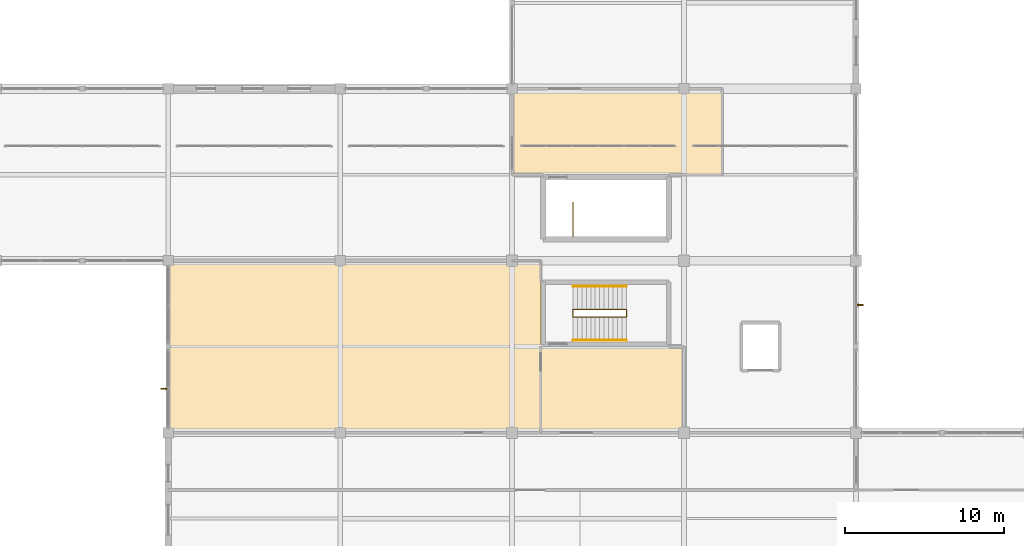
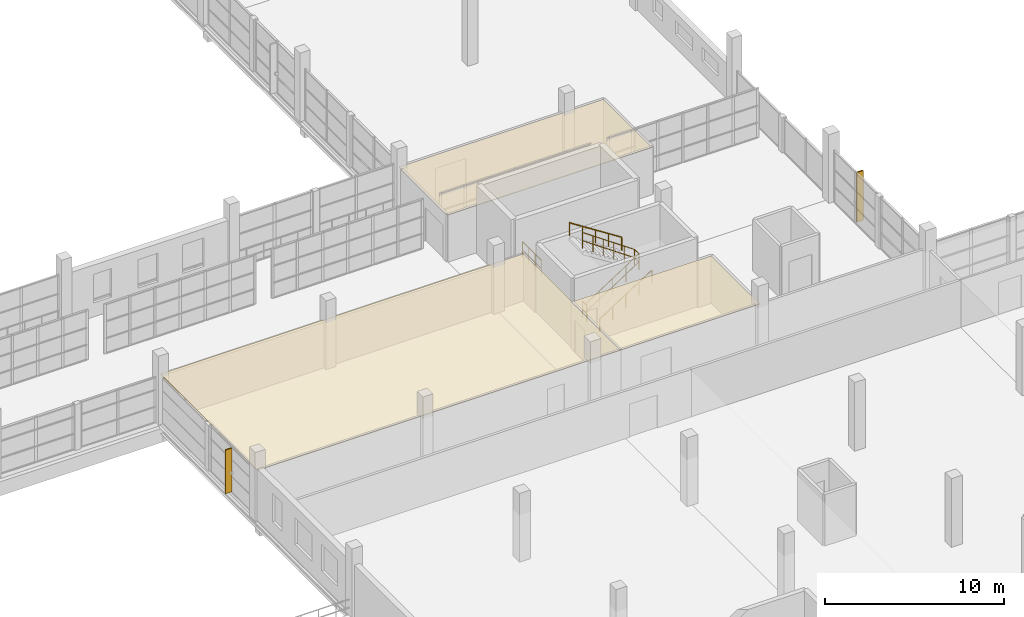
# One storey, part 139 of 142: 5 railings, 3 coverings, 2 shading devices.
"""IFC4 building model written with IfcOpenShell, lengths in metres."""

from ifc_helpers import new_model, si_unit, direction, frame, origin, origin_2d, place, context, subcontext, project, spatial, polyline, rectangle, circle, outline, extrude, material, layer, layer_set, type_object, element, save


model = new_model("IFC4")

# Units and contexts
model_context = context("Model", 3, precision=1e-05, world=origin(), true_north=direction((0.0, 1.0)))
body_context = subcontext(model_context, "Body", "Model", "MODEL_VIEW")
ifc_project = project(units=[si_unit("LENGTHUNIT", "METRE"), si_unit("AREAUNIT", "SQUARE_METRE"), si_unit("VOLUMEUNIT", "CUBIC_METRE"), si_unit("PLANEANGLEUNIT", "RADIAN"), si_unit("MASSUNIT", "GRAM", prefix="KILO")], contexts=[model_context])

# Site, building, storey
site_placement = place(None, origin())
site = spatial("IfcSite", under=ifc_project, at=site_placement, CompositionType="ELEMENT")
building_placement = place(site_placement, origin())
building = spatial("IfcBuilding", under=site, at=building_placement, Name="Zwinboog Wholesale Market", CompositionType="ELEMENT")
storey_placement = place(building_placement, frame((0.0, 0.0, 5.39990234375)))
storey = spatial("IfcBuildingStorey", under=building, at=storey_placement, Name="L01", CompositionType="ELEMENT", Elevation=5.39990234375)

# Shading devices
ifc_material_1 = material(Name="Western red cedar timber", Category="wood")
shading_device_type = type_object("IfcShadingDeviceType", Name="SHD-FIN-CEDAR", PredefinedType="USERDEFINED", material=ifc_material_1)
shading_device_1_placement = place(storey_placement, frame((129.330078125, 35.159912109375, 0.080078125), z_axis=(0.0, 0.0, 1.0), x_axis=(1.0, 0.0, 0.0)))
element("IfcShadingDevice", 1, at=shading_device_1_placement, inside=storey, type_object=shading_device_type, Name="FN-01 (SHD-FIN-035)", ObjectType="FIN", PredefinedType="USERDEFINED", context=body_context, shape_type="SweptSolid", body=[
    extrude(rectangle(XDim=0.419921875, YDim=0.0849609375, at=origin_2d()), origin(), (0.0, 0.0, 1.0), 2.969970703125),
])
shading_device_2_placement = place(storey_placement, frame((173.054931640625, 40.427490234375, 0.080078125), z_axis=(0.0, 0.0, 1.0), x_axis=(1.0, 0.0, 0.0)))
element("IfcShadingDevice", 2, at=shading_device_2_placement, inside=storey, type_object=shading_device_type, Name="FN-01 (SHD-FIN-039)", ObjectType="FIN", PredefinedType="USERDEFINED", context=body_context, shape_type="SweptSolid", body=[
    extrude(rectangle(XDim=0.419921875, YDim=0.0849609375, at=origin_2d()), origin(), (0.0, 0.0, 1.0), 3.3798828125),
])

# Railings
ifc_material_2 = material(Name="Steel S355", Category="steel")
railing_type_1 = type_object("IfcRailingType", Name="RLT-INT-GUARD", PredefinedType="BALUSTRADE", material=ifc_material_2)
railing_1_placement = place(storey_placement, frame((155.02001953125, 40.139892578125, 0.0)))
element("IfcRailing", 3, at=railing_1_placement, inside=storey, type_object=railing_type_1, Name="GR-02 (RLG-ST-12A-GTOP)", PredefinedType="BALUSTRADE", context=body_context, shape_type="SweptSolid", body=[
    extrude(circle(Radius=0.02392578125, at=origin_2d()), frame((0.0, 0.0, 1.09619140625), z_axis=(0.0, -1.0, 0.0), x_axis=(1.0, 0.0, 0.0)), (0.0, 0.0, 1.0), 0.47998046875),
    extrude(circle(Radius=0.02392578125, at=origin_2d()), frame((0.0, 0.0, 0.5361328125), z_axis=(0.0, -1.0, 0.0), x_axis=(1.0, 0.0, 0.0)), (0.0, 0.0, 1.0), 0.47998046875),
    extrude(circle(Radius=0.02099609375, at=origin_2d()), origin(), (0.0, 0.0, 1.0), 1.072021484375),
    extrude(circle(Radius=0.02099609375, at=origin_2d()), frame((0.0, -0.47998046875, 0.0)), (0.0, 0.0, 1.0), 1.072021484375),
])
railing_2_placement = place(storey_placement, frame((155.02001953125, 39.659912109375, 0.18017578125)))
element("IfcRailing", 4, at=railing_2_placement, inside=storey, type_object=railing_type_1, Name="GR-02 (RLG-ST-12B-G1)", PredefinedType="BALUSTRADE", context=body_context, shape_type="SweptSolid", body=[
    extrude(circle(Radius=0.02392578125, at=origin_2d()), frame((0.0, 0.0, 1.09619140625), z_axis=(0.841178475377, 0.0, 0.540757591313), x_axis=(0.0, 1.0, 0.0)), (0.0, 0.0, 1.0), 3.994140625),
    extrude(circle(Radius=0.02392578125, at=origin_2d()), frame((0.0, 0.0, 0.5361328125), z_axis=(0.841178475377, 0.0, 0.540757591313), x_axis=(0.0, 1.0, 0.0)), (0.0, 0.0, 1.0), 3.994140625),
    extrude(circle(Radius=0.02392578125, at=origin_2d()), frame((3.35986328125, 0.0, 3.255859375), z_axis=(0.0, 1.0, 0.0), x_axis=(-1.0, 0.0, 0.0)), (0.0, 0.0, 1.0), 0.47998046875),
    extrude(circle(Radius=0.02392578125, at=origin_2d()), frame((3.35986328125, 0.0, 2.69580078125), z_axis=(0.0, 1.0, 0.0), x_axis=(-1.0, 0.0, 0.0)), (0.0, 0.0, 1.0), 0.47998046875),
    extrude(circle(Radius=0.02392578125, at=origin_2d()), frame((3.35986328125, 0.47998046875, 3.255859375), z_axis=(-0.820585442616, 0.0, 0.571523867714), x_axis=(0.0, -1.0, 0.0)), (0.0, 0.0, 1.0), 4.094482421875),
    extrude(circle(Radius=0.02392578125, at=origin_2d()), frame((3.35986328125, 0.47998046875, 2.69580078125), z_axis=(-0.820585442616, 0.0, 0.571523867714), x_axis=(0.0, -1.0, 0.0)), (0.0, 0.0, 1.0), 4.094482421875),
    extrude(circle(Radius=0.02099609375, at=origin_2d()), origin(), (0.0, 0.0, 1.0), 1.072021484375),
    extrude(circle(Radius=0.02099609375, at=origin_2d()), frame((0.83984375, 0.0, 0.5400390625)), (0.0, 0.0, 1.0), 1.072021484375),
    extrude(circle(Radius=0.02099609375, at=origin_2d()), frame((1.679931640625, 0.0, 1.080078125)), (0.0, 0.0, 1.0), 1.072021484375),
    extrude(circle(Radius=0.02099609375, at=origin_2d()), frame((2.52001953125, 0.0, 1.619873046875)), (0.0, 0.0, 1.0), 1.072021484375),
    extrude(circle(Radius=0.02099609375, at=origin_2d()), frame((3.35986328125, 0.0, 2.159912109375)), (0.0, 0.0, 1.0), 1.072021484375),
    extrude(circle(Radius=0.02099609375, at=origin_2d()), frame((3.35986328125, 0.47998046875, 2.159912109375)), (0.0, 0.0, 1.0), 1.072021484375),
    extrude(circle(Radius=0.02099609375, at=origin_2d()), frame((2.68798828125, 0.47998046875, 2.6279296875)), (0.0, 0.0, 1.0), 1.072021484375),
    extrude(circle(Radius=0.02099609375, at=origin_2d()), frame((2.015869140625, 0.47998046875, 3.095947265625)), (0.0, 0.0, 1.0), 1.072021484375),
    extrude(circle(Radius=0.02099609375, at=origin_2d()), frame((1.343994140625, 0.47998046875, 3.56396484375)), (0.0, 0.0, 1.0), 1.072021484375),
    extrude(circle(Radius=0.02099609375, at=origin_2d()), frame((0.671875, 0.47998046875, 4.031982421875)), (0.0, 0.0, 1.0), 1.072021484375),
    extrude(circle(Radius=0.02099609375, at=origin_2d()), frame((0.0, 0.47998046875, 4.5)), (0.0, 0.0, 1.0), 1.072021484375),
])
railing_3_placement = place(storey_placement, frame((155.02001953125, 46.840087890625, 0.0)))
element("IfcRailing", 5, at=railing_3_placement, inside=storey, type_object=railing_type_1, Name="GR-02 (RLG-ST-15-GTOP)", PredefinedType="BALUSTRADE", context=body_context, shape_type="SweptSolid", body=[
    extrude(circle(Radius=0.02392578125, at=origin_2d()), frame((0.0, 0.0, 1.09619140625), z_axis=(0.0, -1.0, 0.0), x_axis=(1.0, 0.0, 0.0)), (0.0, 0.0, 1.0), 2.10009765625),
    extrude(circle(Radius=0.02392578125, at=origin_2d()), frame((0.0, 0.0, 0.5361328125), z_axis=(0.0, -1.0, 0.0), x_axis=(1.0, 0.0, 0.0)), (0.0, 0.0, 1.0), 2.10009765625),
    extrude(circle(Radius=0.02099609375, at=origin_2d()), origin(), (0.0, 0.0, 1.0), 1.072021484375),
    extrude(circle(Radius=0.02099609375, at=origin_2d()), frame((0.0, -0.699951171875, 0.0)), (0.0, 0.0, 1.0), 1.072021484375),
    extrude(circle(Radius=0.02099609375, at=origin_2d()), frame((0.0, -1.400146484375, 0.0)), (0.0, 0.0, 1.0), 1.072021484375),
    extrude(circle(Radius=0.02099609375, at=origin_2d()), frame((0.0, -2.10009765625, 0.0)), (0.0, 0.0, 1.0), 1.072021484375),
])
railing_type_2 = type_object("IfcRailingType", Name="RLT-HANDRAIL", PredefinedType="HANDRAIL", material=ifc_material_2)
railing_4_placement = place(storey_placement, frame((155.02001953125, 38.2099609375, 0.18017578125)))
element("IfcRailing", 6, at=railing_4_placement, inside=storey, type_object=railing_type_2, Name="HR-01 (RLG-ST-12B-HR1)", PredefinedType="HANDRAIL", context=body_context, shape_type="SweptSolid", body=[
    extrude(circle(Radius=0.02392578125, at=origin_2d()), frame((0.0, 0.0, 0.8759765625), z_axis=(0.841178475377, 0.0, 0.540757591313), x_axis=(0.0, 1.0, 0.0)), (0.0, 0.0, 1.0), 3.994140625),
    extrude(circle(Radius=0.02099609375, at=origin_2d()), origin(), (0.0, 0.0, 1.0), 0.851806640625),
    extrude(circle(Radius=0.02099609375, at=origin_2d()), frame((0.83984375, 0.0, 0.5400390625)), (0.0, 0.0, 1.0), 0.851806640625),
    extrude(circle(Radius=0.02099609375, at=origin_2d()), frame((1.679931640625, 0.0, 1.080078125)), (0.0, 0.0, 1.0), 0.851806640625),
    extrude(circle(Radius=0.02099609375, at=origin_2d()), frame((2.52001953125, 0.0, 1.619873046875)), (0.0, 0.0, 1.0), 0.851806640625),
    extrude(circle(Radius=0.02099609375, at=origin_2d()), frame((3.35986328125, 0.0, 2.159912109375)), (0.0, 0.0, 1.0), 0.851806640625),
])
railing_5_placement = place(storey_placement, frame((158.3798828125, 41.590087890625, 2.52001953125)))
element("IfcRailing", 7, at=railing_5_placement, inside=storey, type_object=railing_type_2, Name="HR-01 (RLG-ST-12B-HR2)", PredefinedType="HANDRAIL", context=body_context, shape_type="SweptSolid", body=[
    extrude(circle(Radius=0.02392578125, at=origin_2d()), frame((0.0, 0.0, 0.8759765625), z_axis=(-0.841150671818, 0.0, 0.540800838849), x_axis=(0.0, -1.0, 0.0)), (0.0, 0.0, 1.0), 3.994384765625),
    extrude(circle(Radius=0.02099609375, at=origin_2d()), origin(), (0.0, 0.0, 1.0), 0.851806640625),
    extrude(circle(Radius=0.02099609375, at=origin_2d()), frame((-0.83984375, 0.0, 0.5400390625)), (0.0, 0.0, 1.0), 0.851806640625),
    extrude(circle(Radius=0.02099609375, at=origin_2d()), frame((-1.679931640625, 0.0, 1.080078125)), (0.0, 0.0, 1.0), 0.851806640625),
    extrude(circle(Radius=0.02099609375, at=origin_2d()), frame((-2.52001953125, 0.0, 1.6201171875)), (0.0, 0.0, 1.0), 0.851806640625),
    extrude(circle(Radius=0.02099609375, at=origin_2d()), frame((-3.35986328125, 0.0, 2.16015625)), (0.0, 0.0, 1.0), 0.851806640625),
])

# Coverings
ifc_material_3 = material(Name="Hygienic washable acoustic gypsum ceiling")
ifc_layer = layer(ifc_material_3, 0.050048828125)
ifc_layer_set = layer_set([ifc_layer], Name="Hygienic washable acoustic gypsum ceiling")
covering_type = type_object("IfcCoveringType", Name="COV-CEIL-HYG", PredefinedType="CEILING", material=ifc_layer_set)
covering_1_placement = place(storey_placement, frame((0.0, 0.0, 3.130126953125)))
element("IfcCovering", 8, at=covering_1_placement, inside=storey, type_object=covering_type, Name="CL-02 (COV-CL-L01-024)", PredefinedType="CEILING", context=body_context, shape_type="SweptSolid", body=[
    extrude(outline(polyline([(151.199951171875, 48.60009765625), (164.39990234375, 48.60009765625), (164.39990234375, 54.0), (151.199951171875, 54.0), (151.199951171875, 48.60009765625)])), origin(), (0.0, 0.0, 1.0), 0.050048828125),
])
covering_2_placement = place(storey_placement, frame((0.0, 0.0, 3.130126953125)))
element("IfcCovering", 9, at=covering_2_placement, inside=storey, type_object=covering_type, Name="CL-02 (COV-CL-L01-029)", PredefinedType="CEILING", context=body_context, shape_type="SweptSolid", body=[
    extrude(outline(polyline([(153.0, 32.39990234375), (162.0, 32.39990234375), (162.0, 37.800048828125), (153.0, 37.800048828125), (153.0, 32.39990234375)])), origin(), (0.0, 0.0, 1.0), 0.050048828125),
])
covering_3_placement = place(storey_placement, frame((0.0, 0.0, 3.130126953125)))
element("IfcCovering", 10, at=covering_3_placement, inside=storey, type_object=covering_type, Name="CL-02 (COV-CL-L01-030)", PredefinedType="CEILING", context=body_context, shape_type="SweptSolid", body=[
    extrude(outline(polyline([(129.60009765625, 32.39990234375), (153.0, 32.39990234375), (153.0, 43.199951171875), (129.60009765625, 43.199951171875), (129.60009765625, 32.39990234375)])), origin(), (0.0, 0.0, 1.0), 0.050048828125),
])

save(model, "model.ifc")
